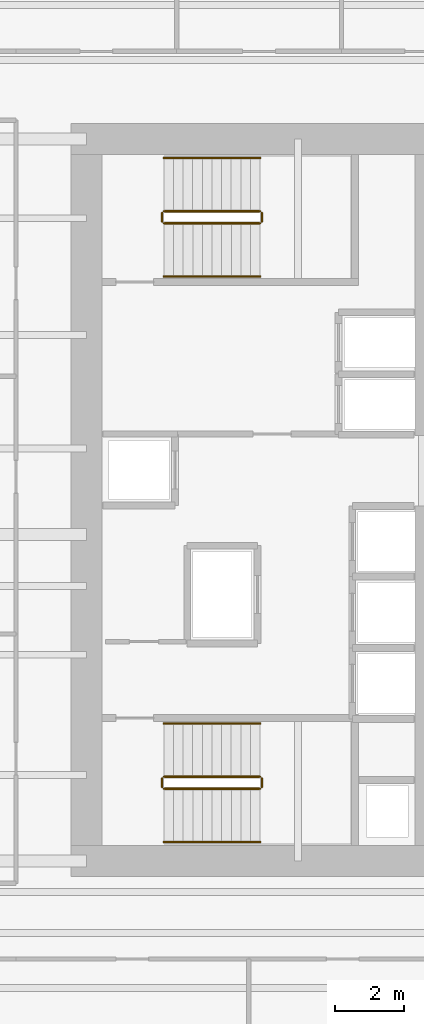
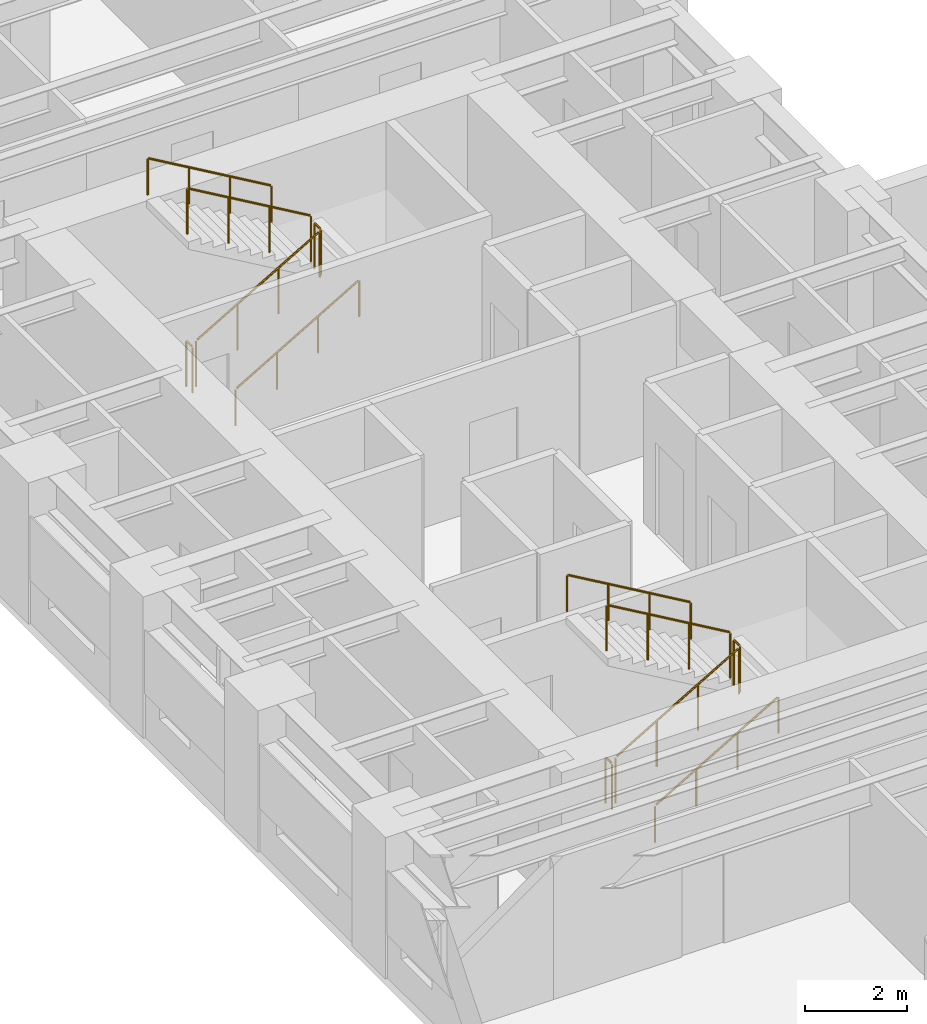
# One storey, part 13 of 14: 12 railings.
"""IFC4 building model written with IfcOpenShell, lengths in metres."""

from ifc_helpers import new_model, si_unit, direction, frame, origin, origin_2d, place, context, subcontext, project, spatial, circle, extrude, source, transform, mapped, material, layer, layer_set, type_object, element, save


model = new_model("IFC4")

# Units and contexts
model_context = context("Model", 3, precision=1e-05, world=origin(), true_north=direction((0.0, 1.0)))
body_context = subcontext(model_context, "Body", "Model", "MODEL_VIEW")
ifc_project = project(units=[si_unit("LENGTHUNIT", "METRE"), si_unit("AREAUNIT", "SQUARE_METRE"), si_unit("VOLUMEUNIT", "CUBIC_METRE"), si_unit("PLANEANGLEUNIT", "RADIAN"), si_unit("MASSUNIT", "GRAM", prefix="KILO")], contexts=[model_context])

# Site, building, storey
site_placement = place(None, origin())
site = spatial("IfcSite", under=ifc_project, at=site_placement, CompositionType="ELEMENT")
building_placement = place(site_placement, origin())
building = spatial("IfcBuilding", under=site, at=building_placement, Name="Kharzan Plaza Tower", CompositionType="ELEMENT")
storey_placement = place(building_placement, frame((0.0, 0.0, 58.5)))
storey = spatial("IfcBuildingStorey", under=building, at=storey_placement, Name="L15", CompositionType="ELEMENT", Elevation=58.5)

# Railings
ifc_material_1 = material(Name="Painted Galvanized Architectural Steel", Category="steel")
ifc_layer_1 = layer(ifc_material_1, 0.074951171875)
ifc_layer_set_1 = layer_set([ifc_layer_1], Name="Painted Galvanized Architectural Steel")
railing_type_1 = type_object("IfcRailingType", Name="RL-GUARD-1120", PredefinedType="BALUSTRADE", material=ifc_layer_set_1)
shared_shape_1 = source(origin(), body_context, "Body", "SweptSolid", [
    extrude(circle(Radius=0.02392578125, at=origin_2d()), frame((0.0, 0.0263671875, 1.09619140625), z_axis=(0.0, 1.0, 0.0), x_axis=(-1.0, 0.0, 0.0)), (0.0, 0.0, 1.0), 0.197021484375),
    extrude(circle(Radius=0.02099609375, at=origin_2d()), origin(), (0.0, 0.0, 1.0), 1.072021484375),
    extrude(circle(Radius=0.02099609375, at=origin_2d()), frame((0.0, 0.25, 0.0)), (0.0, 0.0, 1.0), 1.072021484375),
])
for number, where, name in (
    (1, (9.60009765625, 10.64990234375, 1.800048828125), "L15 ST-1 stair guard 2"),
    (2, (6.699951171875, 10.64990234375, 0.0), "L15 ST-1 stair guard 4"),
    (3, (9.60009765625, 27.10009765625, 1.800048828125), "L15 ST-2 stair guard 2"),
    (4, (6.699951171875, 27.10009765625, 0.0), "L15 ST-2 stair guard 4"),
):
    element("IfcRailing", number, at=place(storey_placement, frame(where)), inside=storey, type_object=railing_type_1, Name=name, PredefinedType="BALUSTRADE", context=body_context, shape_type="MappedRepresentation", body=[
        mapped(shared_shape_1, transform((0.0, 0.0, 0.0), x_axis=(1.0, 0.0, 0.0), y_axis=(0.0, 1.0, 0.0), z_axis=(0.0, 0.0, 1.0))),
    ])
shared_shape_2 = source(origin(), body_context, "Body", "SweptSolid", [
    extrude(circle(Radius=0.02392578125, at=origin_2d()), frame((0.02294921875, 0.0, 1.109375), z_axis=(0.863360870873, 0.0, 0.504586966384), x_axis=(0.0, 1.0, 0.0)), (0.0, 0.0, 1.0), 3.190185546875),
    extrude(circle(Radius=0.02099609375, at=origin_2d()), origin(), (0.0, 0.0, 1.0), 1.072021484375),
    extrude(circle(Radius=0.02099609375, at=origin_2d()), frame((0.933349609375, 0.0, 0.54541015625)), (0.0, 0.0, 1.0), 1.072021484375),
    extrude(circle(Radius=0.02099609375, at=origin_2d()), frame((1.86669921875, 0.0, 1.091064453125)), (0.0, 0.0, 1.0), 1.072021484375),
    extrude(circle(Radius=0.02099609375, at=origin_2d()), frame((2.800048828125, 0.0, 1.636474609375)), (0.0, 0.0, 1.0), 1.072021484375),
])
for number, where, name in (
    (5, (6.75, 10.60009765625, 0.16357421875), "L15 ST-1 stair guard 1"),
    (6, (6.75, 27.050048828125, 0.16357421875), "L15 ST-2 stair guard 1"),
):
    element("IfcRailing", number, at=place(storey_placement, frame(where)), inside=storey, type_object=railing_type_1, Name=name, PredefinedType="BALUSTRADE", context=body_context, shape_type="MappedRepresentation", body=[
        mapped(shared_shape_2, transform((0.0, 0.0, 0.0), x_axis=(1.0, 0.0, 0.0), y_axis=(0.0, 1.0, 0.0), z_axis=(0.0, 0.0, 1.0))),
    ])
shared_shape_3 = source(origin(), body_context, "Body", "SweptSolid", [
    extrude(circle(Radius=0.02392578125, at=origin_2d()), frame((-0.02294921875, 0.0, 1.109375), z_axis=(-0.863360870873, 0.0, 0.504586966384), x_axis=(0.0, -1.0, 0.0)), (0.0, 0.0, 1.0), 3.190185546875),
    extrude(circle(Radius=0.02099609375, at=origin_2d()), origin(), (0.0, 0.0, 1.0), 1.072021484375),
    extrude(circle(Radius=0.02099609375, at=origin_2d()), frame((-0.933349609375, 0.0, 0.54541015625)), (0.0, 0.0, 1.0), 1.072021484375),
    extrude(circle(Radius=0.02099609375, at=origin_2d()), frame((-1.86669921875, 0.0, 1.091064453125)), (0.0, 0.0, 1.0), 1.072021484375),
    extrude(circle(Radius=0.02099609375, at=origin_2d()), frame((-2.800048828125, 0.0, 1.636474609375)), (0.0, 0.0, 1.0), 1.072021484375),
])
for number, where, name in (
    (7, (9.550048828125, 10.949951171875, 1.963623046875), "L15 ST-1 stair guard 3"),
    (8, (9.550048828125, 27.39990234375, 1.963623046875), "L15 ST-2 stair guard 3"),
):
    element("IfcRailing", number, at=place(storey_placement, frame(where)), inside=storey, type_object=railing_type_1, Name=name, PredefinedType="BALUSTRADE", context=body_context, shape_type="MappedRepresentation", body=[
        mapped(shared_shape_3, transform((0.0, 0.0, 0.0), x_axis=(1.0, 0.0, 0.0), y_axis=(0.0, 1.0, 0.0), z_axis=(0.0, 0.0, 1.0))),
    ])
ifc_material_2 = material(Name="Brushed Stainless Steel", Category="steel")
ifc_layer_2 = layer(ifc_material_2, 0.050048828125)
ifc_layer_set_2 = layer_set([ifc_layer_2], Name="Brushed Stainless Steel")
railing_type_2 = type_object("IfcRailingType", Name="RL-STAIR-HR920", PredefinedType="HANDRAIL", material=ifc_layer_set_2)
shared_shape_4 = source(origin(), body_context, "Body", "SweptSolid", [
    extrude(circle(Radius=0.02392578125, at=origin_2d()), frame((0.02294921875, 0.0, 0.88916015625), z_axis=(0.863360870873, 0.0, 0.504586966384), x_axis=(0.0, 1.0, 0.0)), (0.0, 0.0, 1.0), 3.190185546875),
    extrude(circle(Radius=0.02099609375, at=origin_2d()), origin(), (0.0, 0.0, 1.0), 0.851806640625),
    extrude(circle(Radius=0.02099609375, at=origin_2d()), frame((0.933349609375, 0.0, 0.54541015625)), (0.0, 0.0, 1.0), 0.851806640625),
    extrude(circle(Radius=0.02099609375, at=origin_2d()), frame((1.86669921875, 0.0, 1.091064453125)), (0.0, 0.0, 1.0), 0.851806640625),
    extrude(circle(Radius=0.02099609375, at=origin_2d()), frame((2.800048828125, 0.0, 1.636474609375)), (0.0, 0.0, 1.0), 0.851806640625),
])
for number, where, name in (
    (9, (6.75, 9.050048828125, 0.16357421875), "L15 ST-1 stair handrail 1"),
    (10, (6.75, 25.5, 0.16357421875), "L15 ST-2 stair handrail 1"),
):
    element("IfcRailing", number, at=place(storey_placement, frame(where)), inside=storey, type_object=railing_type_2, Name=name, PredefinedType="HANDRAIL", context=body_context, shape_type="MappedRepresentation", body=[
        mapped(shared_shape_4, transform((0.0, 0.0, 0.0), x_axis=(1.0, 0.0, 0.0), y_axis=(0.0, 1.0, 0.0), z_axis=(0.0, 0.0, 1.0))),
    ])
shared_shape_5 = source(origin(), body_context, "Body", "SweptSolid", [
    extrude(circle(Radius=0.02392578125, at=origin_2d()), frame((-0.02294921875, 0.0, 0.88916015625), z_axis=(-0.863360870873, 0.0, 0.504586966384), x_axis=(0.0, -1.0, 0.0)), (0.0, 0.0, 1.0), 3.190185546875),
    extrude(circle(Radius=0.02099609375, at=origin_2d()), origin(), (0.0, 0.0, 1.0), 0.851806640625),
    extrude(circle(Radius=0.02099609375, at=origin_2d()), frame((-0.933349609375, 0.0, 0.54541015625)), (0.0, 0.0, 1.0), 0.851806640625),
    extrude(circle(Radius=0.02099609375, at=origin_2d()), frame((-1.86669921875, 0.0, 1.091064453125)), (0.0, 0.0, 1.0), 0.851806640625),
    extrude(circle(Radius=0.02099609375, at=origin_2d()), frame((-2.800048828125, 0.0, 1.636474609375)), (0.0, 0.0, 1.0), 0.851806640625),
])
for number, where, name in (
    (11, (9.550048828125, 12.5, 1.963623046875), "L15 ST-1 stair handrail 2"),
    (12, (9.550048828125, 28.949951171875, 1.963623046875), "L15 ST-2 stair handrail 2"),
):
    element("IfcRailing", number, at=place(storey_placement, frame(where)), inside=storey, type_object=railing_type_2, Name=name, PredefinedType="HANDRAIL", context=body_context, shape_type="MappedRepresentation", body=[
        mapped(shared_shape_5, transform((0.0, 0.0, 0.0), x_axis=(1.0, 0.0, 0.0), y_axis=(0.0, 1.0, 0.0), z_axis=(0.0, 0.0, 1.0))),
    ])

save(model, "model.ifc")
